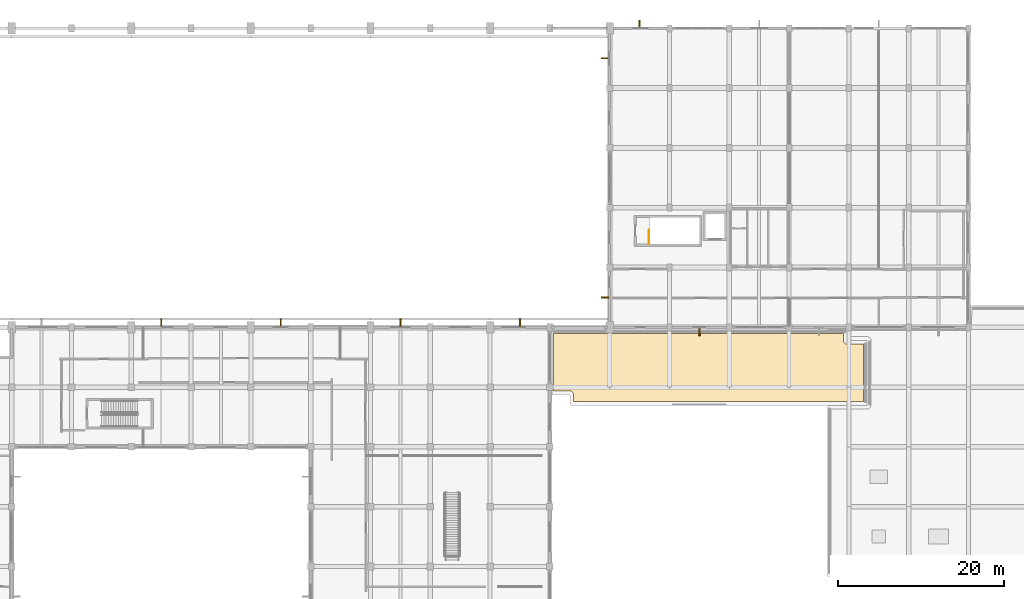
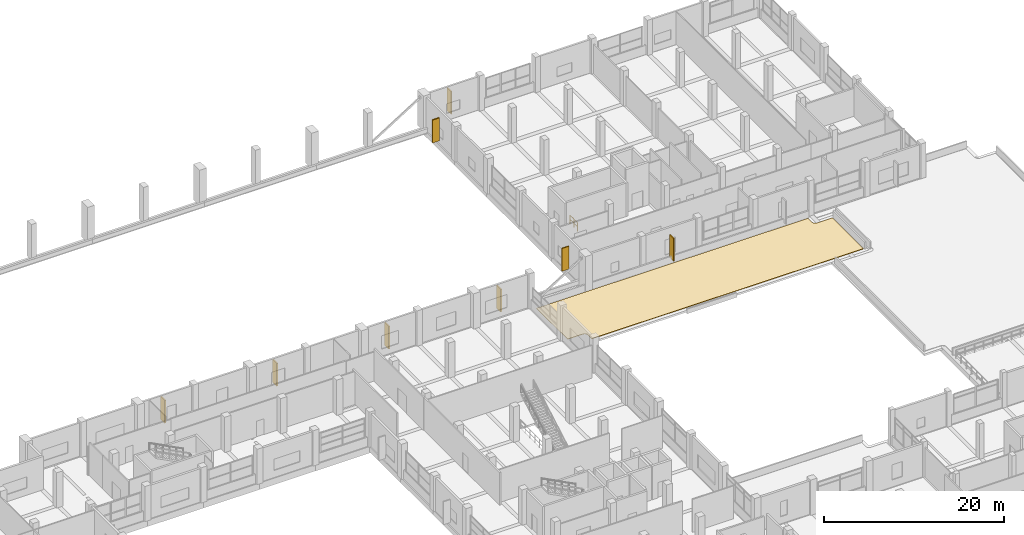
# One storey, part 139 of 140: 8 shading devices, 1 covering, 1 railing.
"""IFC4 building model written with IfcOpenShell, lengths in metres."""

from ifc_helpers import new_model, si_unit, direction, frame, origin, origin_2d, place, context, subcontext, project, spatial, polyline, rectangle, circle, outline, extrude, material, layer, layer_set, type_object, element, save


model = new_model("IFC4")

# Units and contexts
model_context = context("Model", 3, precision=1e-05, world=origin(), true_north=direction((0.0, 1.0)))
body_context = subcontext(model_context, "Body", "Model", "MODEL_VIEW")
ifc_project = project(units=[si_unit("LENGTHUNIT", "METRE"), si_unit("AREAUNIT", "SQUARE_METRE"), si_unit("VOLUMEUNIT", "CUBIC_METRE"), si_unit("PLANEANGLEUNIT", "RADIAN"), si_unit("MASSUNIT", "GRAM", prefix="KILO")], contexts=[model_context])

# Site, building, storey
site_placement = place(None, origin())
site = spatial("IfcSite", under=ifc_project, at=site_placement, CompositionType="ELEMENT")
building_placement = place(site_placement, origin())
building = spatial("IfcBuilding", under=site, at=building_placement, Name="Seraya Terrace Polytechnic", CompositionType="ELEMENT")
storey_placement = place(building_placement, frame((0.0, 0.0, 9.60009765625)))
storey = spatial("IfcBuildingStorey", under=building, at=storey_placement, Name="L02", CompositionType="ELEMENT", Elevation=9.60009765625)

# Shading devices
ifc_material_1 = material(Name="Precast concrete C40/50", Category="concrete")
shading_device_type = type_object("IfcShadingDeviceType", Name="BS-F1", PredefinedType="JALOUSIE", material=ifc_material_1)
for number, where, z_axis, x_axis, name in (
    (1, (61.199951171875, 79.75, 0.449951171875), (0.0, 0.0, 1.0), (0.0, 1.0, 0.0), "Precast concrete brise-soleil fin L02"),
    (2, (75.60009765625, 79.75, 0.449951171875), (0.0, 0.0, 1.0), (0.0, 1.0, 0.0), "Precast concrete brise-soleil fin L02"),
    (3, (90.0, 79.75, 0.449951171875), (0.0, 0.0, 1.0), (0.0, 1.0, 0.0), "Precast concrete brise-soleil fin L02"),
    (4, (104.39990234375, 79.75, 0.449951171875), (0.0, 0.0, 1.0), (0.0, 1.0, 0.0), "Precast concrete brise-soleil fin L02"),
    (5, (126.0, 78.64990234375, 0.449951171875), (0.0, 0.0, 1.0), (0.0, -1.0, 0.0), "Precast concrete brise-soleil fin L02"),
    (6, (114.64990234375, 82.800048828125, 0.449951171875), (0.0, 0.0, 1.0), (-1.0, 0.0, 0.0), "Precast concrete brise-soleil fin L02"),
    (7, (114.64990234375, 111.60009765625, 0.449951171875), (0.0, 0.0, 1.0), (-1.0, 0.0, 0.0), "Precast concrete brise-soleil fin L02"),
    (8, (118.800048828125, 115.75, 0.449951171875), (0.0, 0.0, 1.0), (0.0, 1.0, 0.0), "Precast concrete brise-soleil fin L02"),
):
    element("IfcShadingDevice", number, at=place(storey_placement, frame(where, z_axis=z_axis, x_axis=x_axis)), inside=storey, type_object=shading_device_type, Name=name, PredefinedType="JALOUSIE", context=body_context, shape_type="SweptSolid", body=[
        extrude(rectangle(XDim=0.89990234375, YDim=0.14990234375, at=origin_2d()), origin(), (0.0, 0.0, 1.0), 3.10009765625),
    ])

# Railing
ifc_material_2 = material(Name="Steel S355J2", Category="steel")
railing_type = type_object("IfcRailingType", Name="GR-02", PredefinedType="GUARDRAIL", material=ifc_material_2)
railing_placement = place(storey_placement, frame((119.949951171875, 89.199951171875, 0.0)))
element("IfcRailing", 9, at=railing_placement, inside=storey, type_object=railing_type, Name="L02 ST-08 top well guard 1", PredefinedType="GUARDRAIL", context=body_context, shape_type="SweptSolid", body=[
    extrude(circle(Radius=0.02392578125, at=origin_2d()), frame((0.0, 0.0, 1.10595703125), z_axis=(0.0, 1.0, 0.0), x_axis=(-1.0, 0.0, 0.0)), (0.0, 0.0, 1.0), 1.699951171875),
    extrude(circle(Radius=0.02392578125, at=origin_2d()), frame((0.0, 0.0, 0.550048828125), z_axis=(0.0, 1.0, 0.0), x_axis=(-1.0, 0.0, 0.0)), (0.0, 0.0, 1.0), 1.699951171875),
    extrude(circle(Radius=0.02099609375, at=origin_2d()), origin(), (0.0, 0.0, 1.0), 1.081787109375),
    extrude(circle(Radius=0.02099609375, at=origin_2d()), frame((0.0, 0.85009765625, 0.0)), (0.0, 0.0, 1.0), 1.081787109375),
    extrude(circle(Radius=0.02099609375, at=origin_2d()), frame((0.0, 1.699951171875, 0.0)), (0.0, 0.0, 1.0), 1.081787109375),
])

# Covering
ifc_material_3 = material(Name="Insulated TPO waterproof roofing membrane")
ifc_layer = layer(ifc_material_3, 0.06005859375, Name="RF-C1")
ifc_layer_set = layer_set([ifc_layer], Name="Insulated TPO waterproof roofing membrane")
covering_type = type_object("IfcCoveringType", Name="RF-C1", PredefinedType="ROOFING", material=ifc_layer_set)
covering_placement = place(storey_placement, origin())
element("IfcCovering", 10, at=covering_placement, inside=storey, type_object=covering_type, Name="Waterproof TPO roof covering ROOF-L02-NERIM", PredefinedType="ROOFING", context=body_context, shape_type="SweptSolid", body=[
    extrude(outline(polyline([(110.85009765625, 71.073974609375), (110.815673828125, 71.24609375), (110.747802734375, 71.359619140625), (110.64990234375, 71.4482421875), (110.48779296875, 71.515380859375), (108.449951171875, 71.52392578125), (108.449951171875, 78.449951171875), (143.35009765625, 78.449951171875), (143.358642578125, 77.5380859375), (143.403076171875, 77.413818359375), (143.4521484375, 77.340576171875), (143.587890625, 77.22900390625), (143.712158203125, 77.1845703125), (143.800048828125, 77.176025390625), (145.75, 77.176025390625), (145.75, 70.25), (110.85009765625, 70.25), (110.85009765625, 71.073974609375)])), origin(), (0.0, 0.0, 1.0), 0.059814453125),
])

save(model, "model.ifc")
